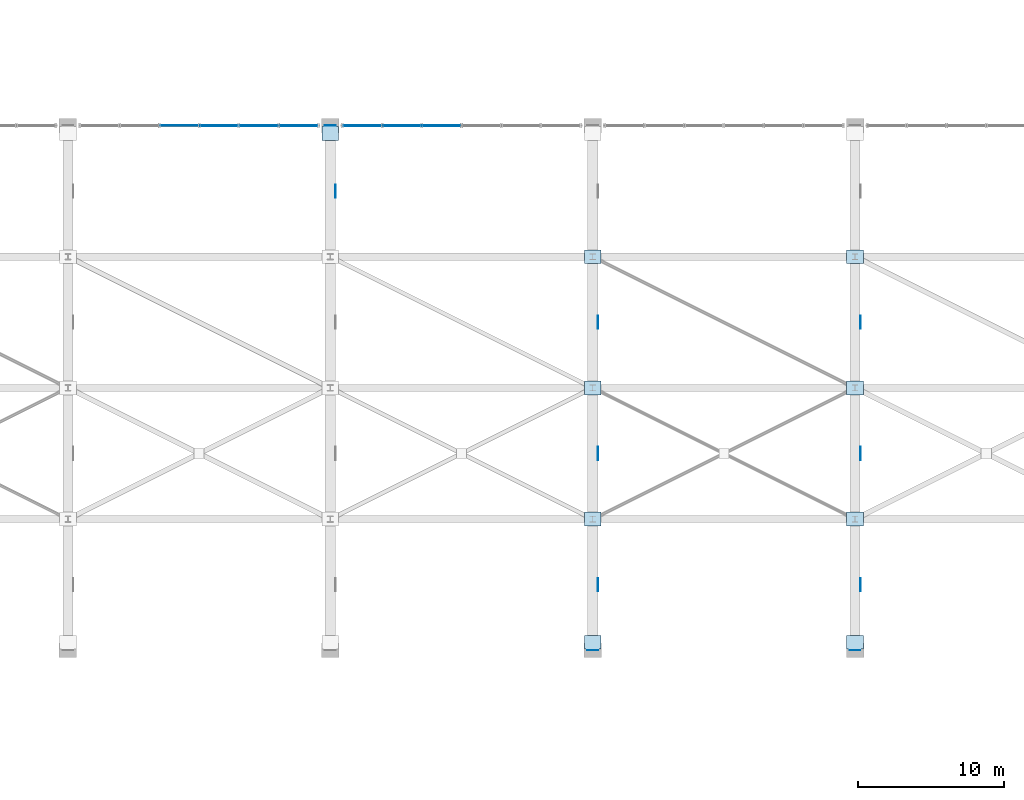
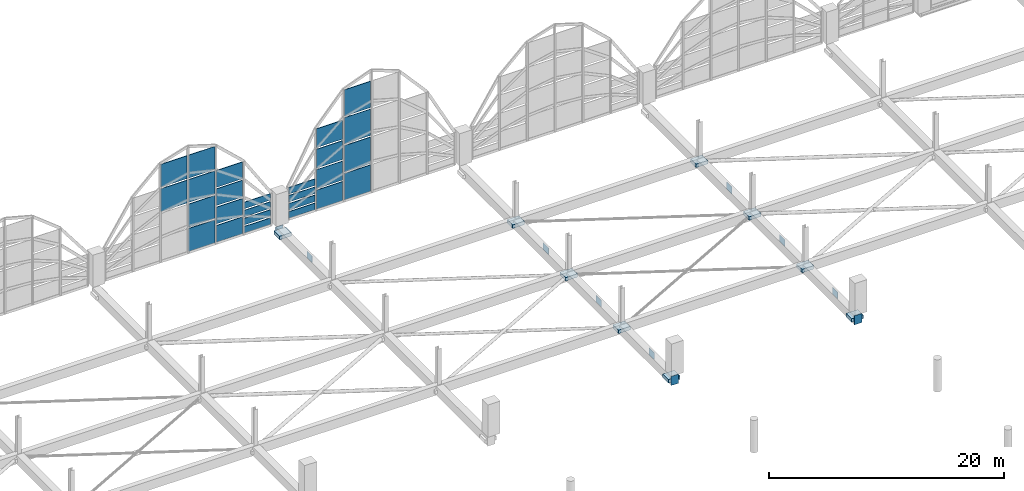
# One storey, part 89 of 116: 45 plates, 2 elements without a shape of their own.
"""IFC4 building model written with IfcOpenShell, lengths in metres."""

from ifc_helpers import new_model, si_unit, direction, frame, origin, origin_2d, place, context, subcontext, project, spatial, rectangle, extrude, material, layer, layer_set, type_object, element, aggregate, save


model = new_model("IFC4")

# Units and contexts
model_context = context("Model", 3, precision=1e-05, world=origin(), true_north=direction((0.0, 1.0)))
body_context = subcontext(model_context, "Body", "Model", "MODEL_VIEW")
ifc_project = project(units=[si_unit("LENGTHUNIT", "METRE"), si_unit("AREAUNIT", "SQUARE_METRE"), si_unit("VOLUMEUNIT", "CUBIC_METRE"), si_unit("PLANEANGLEUNIT", "RADIAN"), si_unit("MASSUNIT", "GRAM", prefix="KILO")], contexts=[model_context])

# Site, building, storey
site_placement = place(None, origin())
site = spatial("IfcSite", under=ifc_project, at=site_placement, CompositionType="ELEMENT")
building_placement = place(site_placement, origin())
building = spatial("IfcBuilding", under=site, at=building_placement, Name="Chuanluo Vaults Station", CompositionType="ELEMENT")
storey_placement = place(building_placement, frame((0.0, 0.0, 10.800048828125)))
storey = spatial("IfcBuildingStorey", under=building, at=storey_placement, Name="L02", CompositionType="ELEMENT", Elevation=10.800048828125)

# Curtain wall, plates
ifc_material_1 = material(Name="Anodised aluminium 6063-T6", Category="aluminium")
curtain_wall_type_1 = type_object("IfcCurtainWallType", Name="CW-SYS-09", PredefinedType="NOTDEFINED", material=ifc_material_1)
curtain_wall_1_placement = place(storey_placement, origin())
curtain_wall_1 = element("IfcCurtainWall", 1, at=curtain_wall_1_placement, inside=storey, type_object=curtain_wall_type_1, Name="Vault V3 north arched curtain wall", PredefinedType="NOTDEFINED")
ifc_material_2 = material(Name="Ceramic-fritted spandrel glass", Category="glass")
ifc_layer_1 = layer(ifc_material_2, 0.06396484375)
ifc_layer_set_1 = layer_set([ifc_layer_1], Name="Ceramic-fritted spandrel glass")
plate_type_1 = type_object("IfcPlateType", Name="CWP-SPN-42", PredefinedType="SHEET", material=ifc_layer_set_1)
plate_1_placement = place(storey_placement, frame((46.362548828125, 103.5, 0.080078125), z_axis=(0.0, 0.0, 1.0), x_axis=(1.0, 0.0, 0.0)))
plate_1 = element("IfcPlate", 2, at=plate_1_placement, type_object=plate_type_1, Name="Vault V3 north arched curtain wall glazed panel 4.1", PredefinedType="SHEET", context=body_context, shape_type="SweptSolid", body=[
    extrude(rectangle(XDim=2.56494140625, YDim=0.06396484375, at=origin_2d()), origin(), (0.0, 0.0, 1.0), 2.37744140625),
])
plate_2_placement = place(storey_placement, frame((49.08740234375, 103.5, 0.080078125), z_axis=(0.0, 0.0, 1.0), x_axis=(1.0, 0.0, 0.0)))
plate_2 = element("IfcPlate", 3, at=plate_2_placement, type_object=plate_type_1, Name="Vault V3 north arched curtain wall glazed panel 5.1", PredefinedType="SHEET", context=body_context, shape_type="SweptSolid", body=[
    extrude(rectangle(XDim=2.56494140625, YDim=0.06396484375, at=origin_2d()), origin(), (0.0, 0.0, 1.0), 1.739990234375),
])
plate_3_placement = place(storey_placement, frame((51.8125, 103.5, 0.080078125), z_axis=(0.0, 0.0, 1.0), x_axis=(1.0, 0.0, 0.0)))
plate_3 = element("IfcPlate", 4, at=plate_3_placement, type_object=plate_type_1, Name="Vault V3 north arched curtain wall glazed panel 6.1", PredefinedType="SHEET", context=body_context, shape_type="SweptSolid", body=[
    extrude(rectangle(XDim=2.56494140625, YDim=0.06396484375, at=origin_2d()), origin(), (0.0, 0.0, 1.0), 0.677490234375),
])

ifc_material_3 = material(Name="Anodised aluminium 6063-T6", Category="aluminium")
curtain_wall_type_2 = type_object("IfcCurtainWallType", Name="CW-SYS-13", PredefinedType="NOTDEFINED", material=ifc_material_3)
curtain_wall_2_placement = place(storey_placement, origin())
curtain_wall_2 = element("IfcCurtainWall", 5, at=curtain_wall_2_placement, inside=storey, type_object=curtain_wall_type_2, Name="Vault V4 north arched curtain wall", PredefinedType="NOTDEFINED")
plate_4_placement = place(storey_placement, frame((56.1875, 103.5, 0.080078125), z_axis=(0.0, 0.0, 1.0), x_axis=(1.0, 0.0, 0.0)))
plate_4 = element("IfcPlate", 6, at=plate_4_placement, type_object=plate_type_1, Name="Vault V4 north arched curtain wall glazed panel 1.1", PredefinedType="SHEET", context=body_context, shape_type="SweptSolid", body=[
    extrude(rectangle(XDim=2.56494140625, YDim=0.06396484375, at=origin_2d()), origin(), (0.0, 0.0, 1.0), 0.677490234375),
])
plate_5_placement = place(storey_placement, frame((58.91259765625, 103.5, 0.080078125), z_axis=(0.0, 0.0, 1.0), x_axis=(1.0, 0.0, 0.0)))
plate_5 = element("IfcPlate", 7, at=plate_5_placement, type_object=plate_type_1, Name="Vault V4 north arched curtain wall glazed panel 2.1", PredefinedType="SHEET", context=body_context, shape_type="SweptSolid", body=[
    extrude(rectangle(XDim=2.56494140625, YDim=0.06396484375, at=origin_2d()), origin(), (0.0, 0.0, 1.0), 1.962158203125),
])
plate_6_placement = place(storey_placement, frame((61.637451171875, 103.5, 0.080078125), z_axis=(0.0, 0.0, 1.0), x_axis=(1.0, 0.0, 0.0)))
plate_6 = element("IfcPlate", 8, at=plate_6_placement, type_object=plate_type_1, Name="Vault V4 north arched curtain wall glazed panel 3.1", PredefinedType="SHEET", context=body_context, shape_type="SweptSolid", body=[
    extrude(rectangle(XDim=2.56494140625, YDim=0.06396484375, at=origin_2d()), origin(), (0.0, 0.0, 1.0), 2.73291015625),
])

# Plate
ifc_material_4 = material(Name="Double-silver Low-E laminated glass", Category="glass")
ifc_layer_2 = layer(ifc_material_4, 0.05810546875)
ifc_layer_set_2 = layer_set([ifc_layer_2], Name="Double-silver Low-E laminated glass")
plate_type_2 = type_object("IfcPlateType", Name="CWP-VIS-38", PredefinedType="CURTAIN_PANEL", material=ifc_layer_set_2)
plate_7_placement = place(storey_placement, frame((43.637451171875, 103.5, 5.155029296875), z_axis=(0.0, 0.0, 1.0), x_axis=(1.0, 0.0, 0.0)))
plate_7 = element("IfcPlate", 9, at=plate_7_placement, type_object=plate_type_2, Name="Vault V3 north arched curtain wall glazed panel 3.3", PredefinedType="CURTAIN_PANEL", context=body_context, shape_type="SweptSolid", body=[
    extrude(rectangle(XDim=2.56494140625, YDim=0.05810546875, at=origin_2d()), origin(), (0.0, 0.0, 1.0), 2.37744140625),
])

plate_8_placement = place(storey_placement, frame((43.637451171875, 103.5, 7.6923828125), z_axis=(0.0, 0.0, 1.0), x_axis=(1.0, 0.0, 0.0)))
plate_8 = element("IfcPlate", 10, at=plate_8_placement, type_object=plate_type_2, Name="Vault V3 north arched curtain wall glazed panel 3.4", PredefinedType="CURTAIN_PANEL", context=body_context, shape_type="SweptSolid", body=[
    extrude(rectangle(XDim=2.56494140625, YDim=0.05810546875, at=origin_2d()), origin(), (0.0, 0.0, 1.0), 2.37744140625),
])

plate_9_placement = place(storey_placement, frame((46.362548828125, 103.5, 2.617431640625), z_axis=(0.0, 0.0, 1.0), x_axis=(1.0, 0.0, 0.0)))
plate_9 = element("IfcPlate", 11, at=plate_9_placement, type_object=plate_type_2, Name="Vault V3 north arched curtain wall glazed panel 4.2", PredefinedType="CURTAIN_PANEL", context=body_context, shape_type="SweptSolid", body=[
    extrude(rectangle(XDim=2.56494140625, YDim=0.05810546875, at=origin_2d()), origin(), (0.0, 0.0, 1.0), 2.37744140625),
])

plate_10_placement = place(storey_placement, frame((46.362548828125, 103.5, 5.155029296875), z_axis=(0.0, 0.0, 1.0), x_axis=(1.0, 0.0, 0.0)))
plate_10 = element("IfcPlate", 12, at=plate_10_placement, type_object=plate_type_2, Name="Vault V3 north arched curtain wall glazed panel 4.3", PredefinedType="CURTAIN_PANEL", context=body_context, shape_type="SweptSolid", body=[
    extrude(rectangle(XDim=2.56494140625, YDim=0.05810546875, at=origin_2d()), origin(), (0.0, 0.0, 1.0), 2.37744140625),
])

plate_11_placement = place(storey_placement, frame((46.362548828125, 103.5, 7.6923828125), z_axis=(0.0, 0.0, 1.0), x_axis=(1.0, 0.0, 0.0)))
plate_11 = element("IfcPlate", 13, at=plate_11_placement, type_object=plate_type_2, Name="Vault V3 north arched curtain wall glazed panel 4.4", PredefinedType="CURTAIN_PANEL", context=body_context, shape_type="SweptSolid", body=[
    extrude(rectangle(XDim=2.56494140625, YDim=0.05810546875, at=origin_2d()), origin(), (0.0, 0.0, 1.0), 2.37744140625),
])

plate_12_placement = place(storey_placement, frame((49.08740234375, 103.5, 1.97998046875), z_axis=(0.0, 0.0, 1.0), x_axis=(1.0, 0.0, 0.0)))
plate_12 = element("IfcPlate", 14, at=plate_12_placement, type_object=plate_type_2, Name="Vault V3 north arched curtain wall glazed panel 5.2", PredefinedType="CURTAIN_PANEL", context=body_context, shape_type="SweptSolid", body=[
    extrude(rectangle(XDim=2.56494140625, YDim=0.05810546875, at=origin_2d()), origin(), (0.0, 0.0, 1.0), 1.739990234375),
])

plate_13_placement = place(storey_placement, frame((49.08740234375, 103.5, 3.8798828125), z_axis=(0.0, 0.0, 1.0), x_axis=(1.0, 0.0, 0.0)))
plate_13 = element("IfcPlate", 15, at=plate_13_placement, type_object=plate_type_2, Name="Vault V3 north arched curtain wall glazed panel 5.3", PredefinedType="CURTAIN_PANEL", context=body_context, shape_type="SweptSolid", body=[
    extrude(rectangle(XDim=2.56494140625, YDim=0.05810546875, at=origin_2d()), origin(), (0.0, 0.0, 1.0), 1.739990234375),
])

plate_14_placement = place(storey_placement, frame((49.08740234375, 103.5, 5.77978515625), z_axis=(0.0, 0.0, 1.0), x_axis=(1.0, 0.0, 0.0)))
plate_14 = element("IfcPlate", 16, at=plate_14_placement, type_object=plate_type_2, Name="Vault V3 north arched curtain wall glazed panel 5.4", PredefinedType="CURTAIN_PANEL", context=body_context, shape_type="SweptSolid", body=[
    extrude(rectangle(XDim=2.56494140625, YDim=0.05810546875, at=origin_2d()), origin(), (0.0, 0.0, 1.0), 1.739990234375),
])

plate_15_placement = place(storey_placement, frame((51.8125, 103.5, 0.91748046875), z_axis=(0.0, 0.0, 1.0), x_axis=(1.0, 0.0, 0.0)))
plate_15 = element("IfcPlate", 17, at=plate_15_placement, type_object=plate_type_2, Name="Vault V3 north arched curtain wall glazed panel 6.2", PredefinedType="CURTAIN_PANEL", context=body_context, shape_type="SweptSolid", body=[
    extrude(rectangle(XDim=2.56494140625, YDim=0.05810546875, at=origin_2d()), origin(), (0.0, 0.0, 1.0), 0.677490234375),
])

plate_16_placement = place(storey_placement, frame((51.8125, 103.5, 1.7548828125), z_axis=(0.0, 0.0, 1.0), x_axis=(1.0, 0.0, 0.0)))
plate_16 = element("IfcPlate", 18, at=plate_16_placement, type_object=plate_type_2, Name="Vault V3 north arched curtain wall glazed panel 6.3", PredefinedType="CURTAIN_PANEL", context=body_context, shape_type="SweptSolid", body=[
    extrude(rectangle(XDim=2.56494140625, YDim=0.05810546875, at=origin_2d()), origin(), (0.0, 0.0, 1.0), 0.677490234375),
])

plate_17_placement = place(storey_placement, frame((51.8125, 103.5, 2.59228515625), z_axis=(0.0, 0.0, 1.0), x_axis=(1.0, 0.0, 0.0)))
plate_17 = element("IfcPlate", 19, at=plate_17_placement, type_object=plate_type_2, Name="Vault V3 north arched curtain wall glazed panel 6.4", PredefinedType="CURTAIN_PANEL", context=body_context, shape_type="SweptSolid", body=[
    extrude(rectangle(XDim=2.56494140625, YDim=0.05810546875, at=origin_2d()), origin(), (0.0, 0.0, 1.0), 0.677490234375),
])

aggregate(curtain_wall_1, [plate_7, plate_8, plate_1, plate_9, plate_10, plate_11, plate_2, plate_12, plate_13, plate_14, plate_3, plate_15, plate_16, plate_17])

plate_18_placement = place(storey_placement, frame((56.1875, 103.5, 0.91748046875), z_axis=(0.0, 0.0, 1.0), x_axis=(1.0, 0.0, 0.0)))
plate_18 = element("IfcPlate", 20, at=plate_18_placement, type_object=plate_type_2, Name="Vault V4 north arched curtain wall glazed panel 1.2", PredefinedType="CURTAIN_PANEL", context=body_context, shape_type="SweptSolid", body=[
    extrude(rectangle(XDim=2.56494140625, YDim=0.05810546875, at=origin_2d()), origin(), (0.0, 0.0, 1.0), 0.677490234375),
])

plate_19_placement = place(storey_placement, frame((56.1875, 103.5, 1.7548828125), z_axis=(0.0, 0.0, 1.0), x_axis=(1.0, 0.0, 0.0)))
plate_19 = element("IfcPlate", 21, at=plate_19_placement, type_object=plate_type_2, Name="Vault V4 north arched curtain wall glazed panel 1.3", PredefinedType="CURTAIN_PANEL", context=body_context, shape_type="SweptSolid", body=[
    extrude(rectangle(XDim=2.56494140625, YDim=0.05810546875, at=origin_2d()), origin(), (0.0, 0.0, 1.0), 0.677490234375),
])

plate_20_placement = place(storey_placement, frame((56.1875, 103.5, 2.59228515625), z_axis=(0.0, 0.0, 1.0), x_axis=(1.0, 0.0, 0.0)))
plate_20 = element("IfcPlate", 22, at=plate_20_placement, type_object=plate_type_2, Name="Vault V4 north arched curtain wall glazed panel 1.4", PredefinedType="CURTAIN_PANEL", context=body_context, shape_type="SweptSolid", body=[
    extrude(rectangle(XDim=2.56494140625, YDim=0.05810546875, at=origin_2d()), origin(), (0.0, 0.0, 1.0), 0.677490234375),
])

plate_21_placement = place(storey_placement, frame((58.91259765625, 103.5, 2.2021484375), z_axis=(0.0, 0.0, 1.0), x_axis=(1.0, 0.0, 0.0)))
plate_21 = element("IfcPlate", 23, at=plate_21_placement, type_object=plate_type_2, Name="Vault V4 north arched curtain wall glazed panel 2.2", PredefinedType="CURTAIN_PANEL", context=body_context, shape_type="SweptSolid", body=[
    extrude(rectangle(XDim=2.56494140625, YDim=0.05810546875, at=origin_2d()), origin(), (0.0, 0.0, 1.0), 1.96240234375),
])

plate_22_placement = place(storey_placement, frame((58.91259765625, 103.5, 4.32470703125), z_axis=(0.0, 0.0, 1.0), x_axis=(1.0, 0.0, 0.0)))
plate_22 = element("IfcPlate", 24, at=plate_22_placement, type_object=plate_type_2, Name="Vault V4 north arched curtain wall glazed panel 2.3", PredefinedType="CURTAIN_PANEL", context=body_context, shape_type="SweptSolid", body=[
    extrude(rectangle(XDim=2.56494140625, YDim=0.05810546875, at=origin_2d()), origin(), (0.0, 0.0, 1.0), 1.962158203125),
])

plate_23_placement = place(storey_placement, frame((58.91259765625, 103.5, 6.44677734375), z_axis=(0.0, 0.0, 1.0), x_axis=(1.0, 0.0, 0.0)))
plate_23 = element("IfcPlate", 25, at=plate_23_placement, type_object=plate_type_2, Name="Vault V4 north arched curtain wall glazed panel 2.4", PredefinedType="CURTAIN_PANEL", context=body_context, shape_type="SweptSolid", body=[
    extrude(rectangle(XDim=2.56494140625, YDim=0.05810546875, at=origin_2d()), origin(), (0.0, 0.0, 1.0), 1.962158203125),
])

plate_24_placement = place(storey_placement, frame((61.637451171875, 103.5, 2.97265625), z_axis=(0.0, 0.0, 1.0), x_axis=(1.0, 0.0, 0.0)))
plate_24 = element("IfcPlate", 26, at=plate_24_placement, type_object=plate_type_2, Name="Vault V4 north arched curtain wall glazed panel 3.2", PredefinedType="CURTAIN_PANEL", context=body_context, shape_type="SweptSolid", body=[
    extrude(rectangle(XDim=2.56494140625, YDim=0.05810546875, at=origin_2d()), origin(), (0.0, 0.0, 1.0), 2.733154296875),
])

plate_25_placement = place(storey_placement, frame((61.637451171875, 103.5, 5.8662109375), z_axis=(0.0, 0.0, 1.0), x_axis=(1.0, 0.0, 0.0)))
plate_25 = element("IfcPlate", 27, at=plate_25_placement, type_object=plate_type_2, Name="Vault V4 north arched curtain wall glazed panel 3.3", PredefinedType="CURTAIN_PANEL", context=body_context, shape_type="SweptSolid", body=[
    extrude(rectangle(XDim=2.56494140625, YDim=0.05810546875, at=origin_2d()), origin(), (0.0, 0.0, 1.0), 2.733154296875),
])

plate_26_placement = place(storey_placement, frame((61.637451171875, 103.5, 8.75927734375), z_axis=(0.0, 0.0, 1.0), x_axis=(1.0, 0.0, 0.0)))
plate_26 = element("IfcPlate", 28, at=plate_26_placement, type_object=plate_type_2, Name="Vault V4 north arched curtain wall glazed panel 3.4", PredefinedType="CURTAIN_PANEL", context=body_context, shape_type="SweptSolid", body=[
    extrude(rectangle(XDim=2.56494140625, YDim=0.05810546875, at=origin_2d()), origin(), (0.0, 0.0, 1.0), 2.733154296875),
])

aggregate(curtain_wall_2, [plate_4, plate_18, plate_19, plate_20, plate_5, plate_21, plate_22, plate_23, plate_6, plate_24, plate_25, plate_26])

# Plates
ifc_material_5 = material(Name="Steel Q390C", Category="steel")
ifc_layer_3 = layer(ifc_material_5, 0.0400390625)
ifc_layer_set_3 = layer_set([ifc_layer_3], Name="Steel Q390C")
plate_type_3 = type_object("IfcPlateType", Name="PLT-BASE-40", PredefinedType="USERDEFINED", material=ifc_layer_set_3)
for number, where, z_axis, x_axis, name in (
    (29, (72.0, 94.5, -1.0302734375), (0.0, 0.0, 1.0), (1.0, 0.0, 0.0), "Structural steel node diaphragm 0064"),
    (30, (90.0, 94.5, -1.0302734375), (0.0, 0.0, 1.0), (1.0, 0.0, 0.0), "Structural steel node diaphragm 0069"),
):
    element("IfcPlate", number, at=place(storey_placement, frame(where, z_axis=z_axis, x_axis=x_axis)), inside=storey, type_object=plate_type_3, Name=name, ObjectType="BASE_PLATE", PredefinedType="USERDEFINED", context=body_context, shape_type="SweptSolid", body=[
        extrude(rectangle(XDim=1.14990234375, YDim=0.949951171875, at=origin_2d()), origin(), (0.0, 0.0, 1.0), 0.360107421875),
    ])
ifc_material_6 = material(Name="Steel Q390C", Category="steel")
ifc_layer_4 = layer(ifc_material_6, 0.02587890625)
ifc_layer_set_4 = layer_set([ifc_layer_4], Name="Steel Q390C")
plate_type_4 = type_object("IfcPlateType", Name="PLT-CAP-26", PredefinedType="USERDEFINED", material=ifc_layer_set_4)
for number, where, z_axis, x_axis, name in (
    (31, (54.0, 103.5, -1.320068359375), (0.0, 0.0, 1.0), (1.0, 0.0, 0.0), "Truss TT-4 top chord end cap N"),
    (32, (72.0, 67.5, -1.320068359375), (0.0, 0.0, 1.0), (1.0, 0.0, 0.0), "Truss TT-5 top chord end cap S"),
    (33, (90.0, 67.5, -1.320068359375), (0.0, 0.0, 1.0), (1.0, 0.0, 0.0), "Truss TT-6 top chord end cap S"),
):
    element("IfcPlate", number, at=place(storey_placement, frame(where, z_axis=z_axis, x_axis=x_axis)), inside=storey, type_object=plate_type_4, Name=name, ObjectType="COVER_PLATE", PredefinedType="USERDEFINED", context=body_context, shape_type="SweptSolid", body=[
        extrude(rectangle(XDim=0.739990234375, YDim=0.02587890625, at=origin_2d()), origin(), (0.0, 0.0, 1.0), 0.93994140625),
    ])
ifc_material_7 = material(Name="Steel Q355C", Category="steel")
ifc_layer_5 = layer(ifc_material_7, 0.02001953125)
ifc_layer_set_5 = layer_set([ifc_layer_5], Name="Steel Q355C")
plate_type_5 = type_object("IfcPlateType", Name="PLT-GUS-20", PredefinedType="USERDEFINED", material=ifc_layer_set_5)
for number, where, z_axis, x_axis, name in (
    (34, (72.0, 76.5, -1.0302734375), (0.0, 0.0, 1.0), (1.0, 0.0, 0.0), "Structural steel node diaphragm 0062"),
    (35, (90.0, 76.5, -1.0302734375), (0.0, 0.0, 1.0), (1.0, 0.0, 0.0), "Structural steel node diaphragm 0067"),
):
    element("IfcPlate", number, at=place(storey_placement, frame(where, z_axis=z_axis, x_axis=x_axis)), inside=storey, type_object=plate_type_5, Name=name, ObjectType="STIFFENER_PLATE", PredefinedType="USERDEFINED", context=body_context, shape_type="SweptSolid", body=[
        extrude(rectangle(XDim=1.14990234375, YDim=0.949951171875, at=origin_2d()), origin(), (0.0, 0.0, 1.0), 0.360107421875),
    ])
ifc_material_8 = material(Name="Steel Q390C", Category="steel")
ifc_layer_6 = layer(ifc_material_8, 0.028076171875)
ifc_layer_set_6 = layer_set([ifc_layer_6], Name="Steel Q390C")
plate_type_6 = type_object("IfcPlateType", Name="PLT-GUS-28", PredefinedType="USERDEFINED", material=ifc_layer_set_6)
for number, where, z_axis, x_axis, name in (
    (36, (72.0, 68.050048828125, -1.0302734375), (0.0, 0.0, 1.0), (1.0, 0.0, 0.0), "Structural steel node diaphragm 0061"),
    (37, (90.0, 68.050048828125, -1.0302734375), (0.0, 0.0, 1.0), (1.0, 0.0, 0.0), "Structural steel node diaphragm 0066"),
):
    element("IfcPlate", number, at=place(storey_placement, frame(where, z_axis=z_axis, x_axis=x_axis)), inside=storey, type_object=plate_type_6, Name=name, ObjectType="GUSSET_PLATE", PredefinedType="USERDEFINED", context=body_context, shape_type="SweptSolid", body=[
        extrude(rectangle(XDim=1.14990234375, YDim=0.949951171875, at=origin_2d()), origin(), (0.0, 0.0, 1.0), 0.360107421875),
    ])
ifc_material_9 = material(Name="Steel Q390C", Category="steel")
ifc_layer_7 = layer(ifc_material_9, 0.031982421875)
ifc_layer_set_7 = layer_set([ifc_layer_7], Name="Steel Q390C")
plate_type_7 = type_object("IfcPlateType", Name="PLT-GUS-32", PredefinedType="USERDEFINED", material=ifc_layer_set_7)
for number, where, z_axis, x_axis, name in (
    (38, (54.364013671875, 99.0, -1.35009765625), (0.0, 0.0, 1.0), (1.0, 0.0, 0.0), "Truss TT-4 top node gusset 4"),
    (39, (72.364013671875, 72.0, -1.35009765625), (0.0, 0.0, 1.0), (1.0, 0.0, 0.0), "Truss TT-5 top node gusset 1"),
    (40, (72.364013671875, 81.0, -1.35009765625), (0.0, 0.0, 1.0), (1.0, 0.0, 0.0), "Truss TT-5 top node gusset 2"),
    (41, (72.364013671875, 90.0, -1.35009765625), (0.0, 0.0, 1.0), (1.0, 0.0, 0.0), "Truss TT-5 top node gusset 3"),
    (42, (90.364013671875, 72.0, -1.35009765625), (0.0, 0.0, 1.0), (1.0, 0.0, 0.0), "Truss TT-6 top node gusset 1"),
    (43, (90.364013671875, 81.0, -1.35009765625), (0.0, 0.0, 1.0), (1.0, 0.0, 0.0), "Truss TT-6 top node gusset 2"),
    (44, (90.364013671875, 90.0, -1.35009765625), (0.0, 0.0, 1.0), (1.0, 0.0, 0.0), "Truss TT-6 top node gusset 3"),
):
    element("IfcPlate", number, at=place(storey_placement, frame(where, z_axis=z_axis, x_axis=x_axis)), inside=storey, type_object=plate_type_7, Name=name, ObjectType="GUSSET_PLATE", PredefinedType="USERDEFINED", context=body_context, shape_type="SweptSolid", body=[
        extrude(rectangle(XDim=0.031982421875, YDim=0.89990234375, at=origin_2d()), origin(), (0.0, 0.0, 1.0), 0.699951171875),
    ])
plate_27_placement = place(storey_placement, frame((54.0, 102.949951171875, -1.0302734375), z_axis=(0.0, 0.0, 1.0), x_axis=(1.0, 0.0, 0.0)))
element("IfcPlate", 45, at=plate_27_placement, inside=storey, type_object=plate_type_7, Name="Structural steel node diaphragm 0060", ObjectType="GUSSET_PLATE", PredefinedType="USERDEFINED", context=body_context, shape_type="SweptSolid", body=[
    extrude(rectangle(XDim=1.14990234375, YDim=0.949951171875, at=origin_2d()), origin(), (0.0, 0.0, 1.0), 0.360107421875),
])
ifc_material_10 = material(Name="Steel Q355C", Category="steel")
ifc_layer_8 = layer(ifc_material_10, 0.02197265625)
ifc_layer_set_8 = layer_set([ifc_layer_8], Name="Steel Q355C")
plate_type_8 = type_object("IfcPlateType", Name="PLT-SPL-22", PredefinedType="USERDEFINED", material=ifc_layer_set_8)
for number, where, z_axis, x_axis, name in (
    (46, (72.0, 85.5, -1.0302734375), (0.0, 0.0, 1.0), (1.0, 0.0, 0.0), "Structural steel node diaphragm 0063"),
    (47, (90.0, 85.5, -1.0302734375), (0.0, 0.0, 1.0), (1.0, 0.0, 0.0), "Structural steel node diaphragm 0068"),
):
    element("IfcPlate", number, at=place(storey_placement, frame(where, z_axis=z_axis, x_axis=x_axis)), inside=storey, type_object=plate_type_8, Name=name, ObjectType="SPLICE_PLATE", PredefinedType="USERDEFINED", context=body_context, shape_type="SweptSolid", body=[
        extrude(rectangle(XDim=1.14990234375, YDim=0.949951171875, at=origin_2d()), origin(), (0.0, 0.0, 1.0), 0.360107421875),
    ])

save(model, "model.ifc")
